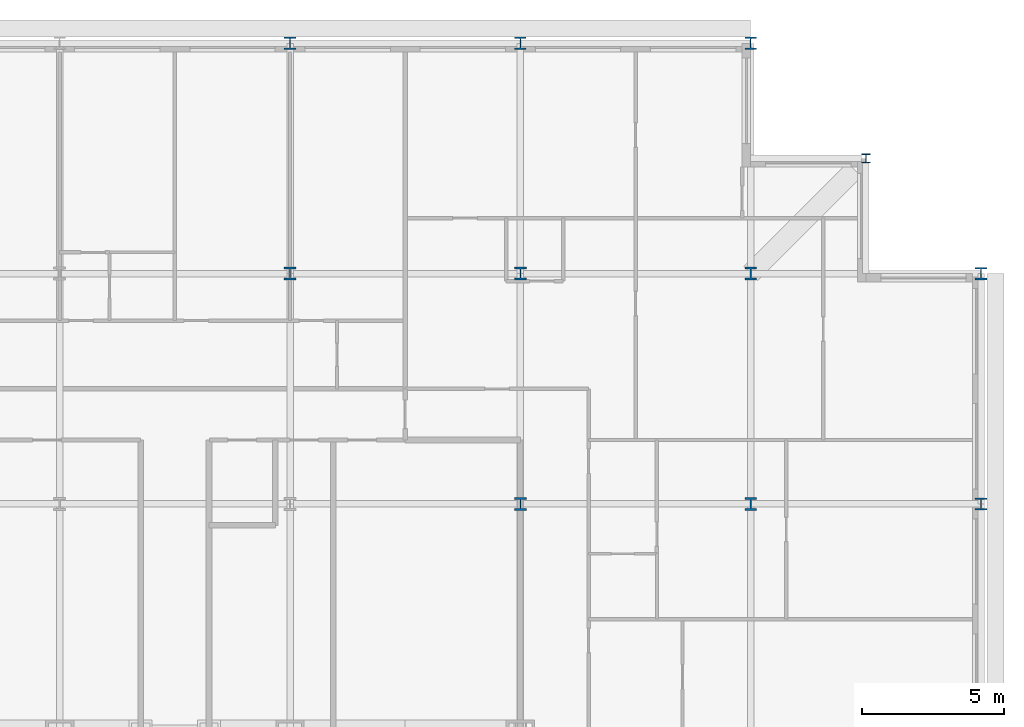
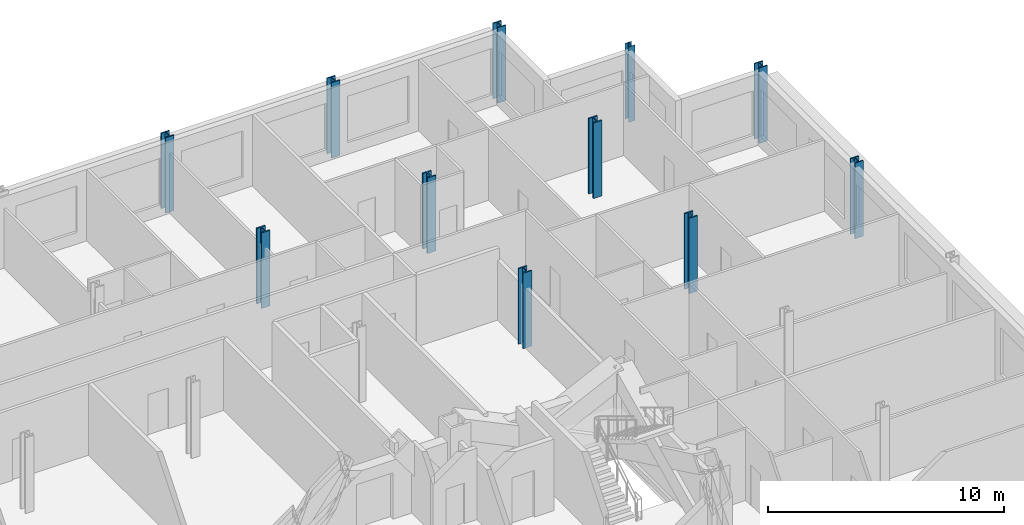
# One storey, part 4 of 15: 11 columns.
"""IFC4 building model written with IfcOpenShell, lengths in metres."""

from ifc_helpers import new_model, si_unit, direction, frame, origin, origin_2d, place, context, subcontext, project, spatial, i_section, extrude, material, material_profile, profile_set, type_object, element, save


model = new_model("IFC4")

# Units and contexts
model_context = context("Model", 3, precision=1e-05, world=origin(), true_north=direction((0.0, 1.0)))
body_context = subcontext(model_context, "Body", "Model", "MODEL_VIEW")
ifc_project = project(units=[si_unit("LENGTHUNIT", "METRE"), si_unit("AREAUNIT", "SQUARE_METRE"), si_unit("VOLUMEUNIT", "CUBIC_METRE"), si_unit("PLANEANGLEUNIT", "RADIAN"), si_unit("MASSUNIT", "GRAM", prefix="KILO")], contexts=[model_context])

# Site, building, storey
site_placement = place(None, origin())
site = spatial("IfcSite", under=ifc_project, at=site_placement, CompositionType="ELEMENT")
building_placement = place(site_placement, origin())
building = spatial("IfcBuilding", under=site, at=building_placement, Name="Kopane Lantern Tower", CompositionType="ELEMENT")
storey_placement = place(building_placement, frame((0.0, 0.0, 254.10009765625)))
storey = spatial("IfcBuildingStorey", under=building, at=storey_placement, Name="L65", CompositionType="ELEMENT", Elevation=254.10009765625)

# Columns
ifc_material_1 = material(Name="Steel S355JR", Category="steel")
ifc_material_profile_1 = material_profile(ifc_material_1, i_section(OverallWidth=0.307373046875, OverallDepth=0.314453125, WebThickness=0.011962890625, FlangeThickness=0.018798828125, FilletRadius=0.01513671875, at=origin_2d()), Name="UC 305x305x118")
ifc_profile_set_1 = profile_set([ifc_material_profile_1], Name="Steel S355JR")
column_type_1 = type_object("IfcColumnType", Name="COLUMN UC 305x305x118", PredefinedType="COLUMN", material=ifc_profile_set_1)
column_placement = place(storey_placement, frame((52.64990234375, 60.75, 0.0), z_axis=(0.0, 0.0, 1.0), x_axis=(1.0, 0.0, 0.0)))
element("IfcColumn", 1, at=column_placement, inside=storey, type_object=column_type_1, Name="Column 52.65/60.75 L65", PredefinedType="COLUMN", context=body_context, shape_type="SweptSolid", body=[
    extrude(i_section(OverallWidth=0.307373046875, OverallDepth=0.314453125, WebThickness=0.011962890625, FlangeThickness=0.018798828125, FilletRadius=0.01513671875, at=origin_2d()), origin(), (0.0, 0.0, 1.0), 3.89990234375),
])
ifc_material_2 = material(Name="Steel S355JR", Category="steel")
ifc_material_profile_2 = material_profile(ifc_material_2, i_section(OverallWidth=0.412109375, OverallDepth=0.4365234375, WebThickness=0.035888671875, FlangeThickness=0.05810546875, FilletRadius=0.01513671875, at=origin_2d()), Name="UC 356x406x467")
ifc_profile_set_2 = profile_set([ifc_material_profile_2], Name="Steel S355JR")
column_type_2 = type_object("IfcColumnType", Name="COLUMN UC 356x406x467", PredefinedType="COLUMN", material=ifc_profile_set_2)
for number, where, z_axis, x_axis, name in (
    (2, (32.39990234375, 64.800048828125, 0.0), (0.0, 0.0, 1.0), (1.0, 0.0, 0.0), "Column 6/K L65"),
    (3, (40.5, 64.800048828125, 0.0), (0.0, 0.0, 1.0), (1.0, 0.0, 0.0), "Column 7/K L65"),
    (4, (48.60009765625, 64.800048828125, 0.0), (0.0, 0.0, 1.0), (1.0, 0.0, 0.0), "Column 8/K L65"),
    (5, (56.699951171875, 48.60009765625, 0.0), (0.0, 0.0, 1.0), (1.0, 0.0, 0.0), "Column 9/H L65"),
    (6, (56.699951171875, 56.699951171875, 0.0), (0.0, 0.0, 1.0), (1.0, 0.0, 0.0), "Column 9/J L65"),
):
    element("IfcColumn", number, at=place(storey_placement, frame(where, z_axis=z_axis, x_axis=x_axis)), inside=storey, type_object=column_type_2, Name=name, PredefinedType="COLUMN", context=body_context, shape_type="SweptSolid", body=[
        extrude(i_section(OverallWidth=0.412109375, OverallDepth=0.4365234375, WebThickness=0.035888671875, FlangeThickness=0.05810546875, FilletRadius=0.01513671875, at=origin_2d()), origin(), (0.0, 0.0, 1.0), 3.89990234375),
    ])
ifc_material_3 = material(Name="Steel S355JR", Category="steel")
ifc_material_profile_3 = material_profile(ifc_material_3, i_section(OverallWidth=0.41845703125, OverallDepth=0.45556640625, WebThickness=0.0419921875, FlangeThickness=0.0673828125, FilletRadius=0.01513671875, at=origin_2d()), Name="UC 356x406x551")
ifc_profile_set_3 = profile_set([ifc_material_profile_3], Name="Steel S355JR")
column_type_3 = type_object("IfcColumnType", Name="COLUMN UC 356x406x551", PredefinedType="COLUMN", material=ifc_profile_set_3)
for number, where, z_axis, x_axis, name in (
    (7, (32.39990234375, 56.699951171875, 0.0), (0.0, 0.0, 1.0), (1.0, 0.0, 0.0), "Column 6/J L65"),
    (8, (40.5, 48.60009765625, 0.0), (0.0, 0.0, 1.0), (1.0, 0.0, 0.0), "Column 7/H L65"),
    (9, (40.5, 56.699951171875, 0.0), (0.0, 0.0, 1.0), (1.0, 0.0, 0.0), "Column 7/J L65"),
    (10, (48.60009765625, 48.60009765625, 0.0), (0.0, 0.0, 1.0), (1.0, 0.0, 0.0), "Column 8/H L65"),
    (11, (48.60009765625, 56.699951171875, 0.0), (0.0, 0.0, 1.0), (1.0, 0.0, 0.0), "Column 8/J L65"),
):
    element("IfcColumn", number, at=place(storey_placement, frame(where, z_axis=z_axis, x_axis=x_axis)), inside=storey, type_object=column_type_3, Name=name, PredefinedType="COLUMN", context=body_context, shape_type="SweptSolid", body=[
        extrude(i_section(OverallWidth=0.41845703125, OverallDepth=0.45556640625, WebThickness=0.0419921875, FlangeThickness=0.0673828125, FilletRadius=0.01513671875, at=origin_2d()), origin(), (0.0, 0.0, 1.0), 3.89990234375),
    ])

save(model, "model.ifc")
